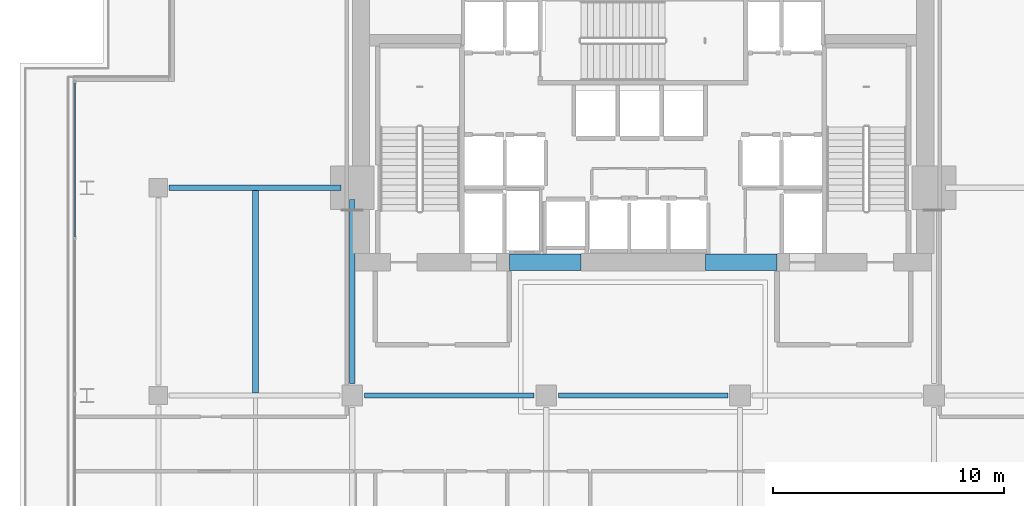
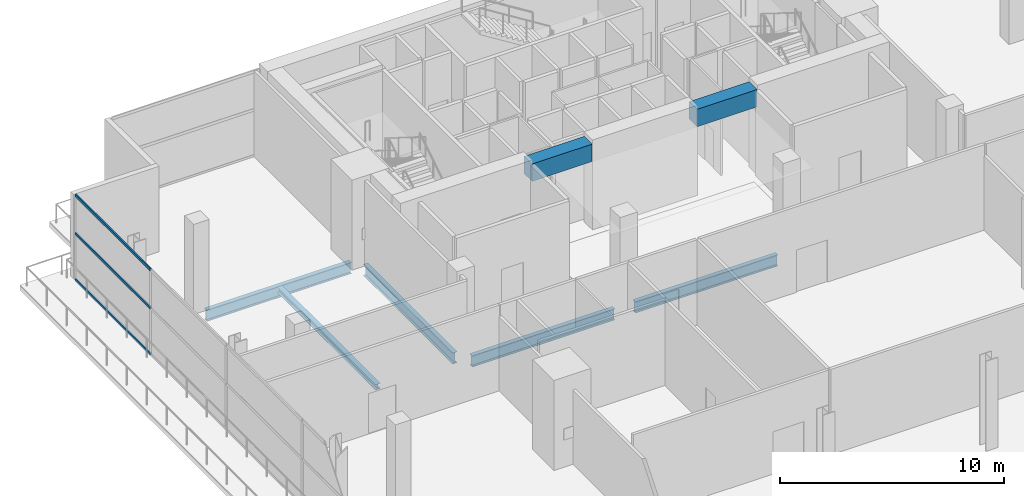
# One storey, part 18 of 31: 7 beams, 3 members, 1 element without a shape of its own.
"""IFC4 building model written with IfcOpenShell, lengths in metres."""

from ifc_helpers import new_model, si_unit, direction, frame, origin, origin_2d, place, context, subcontext, project, spatial, rectangle, hollow_rectangle, i_section, extrude, material, layer, layer_set, material_profile, profile_set, type_object, element, aggregate, save


model = new_model("IFC4")

# Units and contexts
model_context = context("Model", 3, precision=1e-05, world=origin(), true_north=direction((0.0, 1.0)))
body_context = subcontext(model_context, "Body", "Model", "MODEL_VIEW")
ifc_project = project(units=[si_unit("LENGTHUNIT", "METRE"), si_unit("AREAUNIT", "SQUARE_METRE"), si_unit("VOLUMEUNIT", "CUBIC_METRE"), si_unit("PLANEANGLEUNIT", "RADIAN"), si_unit("MASSUNIT", "GRAM", prefix="KILO")], contexts=[model_context])

# Site, building, storey
site_placement = place(None, origin())
site = spatial("IfcSite", under=ifc_project, at=site_placement, CompositionType="ELEMENT")
building_placement = place(site_placement, origin())
building = spatial("IfcBuilding", under=site, at=building_placement, Name="Maruvema Waterfront Hotel and Observation Tower", CompositionType="ELEMENT")
storey_placement = place(building_placement, frame((0.0, 0.0, 122.5)))
storey = spatial("IfcBuildingStorey", under=building, at=storey_placement, Name="L29", CompositionType="ELEMENT", Elevation=122.5)

# Beams
ifc_material_1 = material(Name="Concrete C60/75", Category="concrete")
ifc_material_profile_1 = material_profile(ifc_material_1, rectangle(XDim=0.699951171875, YDim=0.949951171875, at=origin_2d()), Name="CB700x950")
ifc_profile_set_1 = profile_set([ifc_material_profile_1], Name="Concrete C60/75")
beam_type_1 = type_object("IfcBeamType", Name="Core Coupling Lintel Beam CB700x950", PredefinedType="LINTEL", material=ifc_profile_set_1)
for number, where, z_axis, x_axis, name in (
    (1, (32.0, 41.77490234375, 4.18505859375), (1.0, 0.0, 0.0), (0.0, 1.0, 0.0), "L29 Core Coupling Lintel Beam West"),
    (2, (40.5, 41.77490234375, 4.18505859375), (1.0, 0.0, 0.0), (0.0, 1.0, 0.0), "L29 Core Coupling Lintel Beam East"),
):
    element("IfcBeam", number, at=place(storey_placement, frame(where, z_axis=z_axis, x_axis=x_axis)), inside=storey, type_object=beam_type_1, Name=name, PredefinedType="LINTEL", context=body_context, shape_type="SweptSolid", body=[
        extrude(rectangle(XDim=0.699951171875, YDim=0.949951171875, at=origin_2d()), origin(), (0.0, 0.0, 1.0), 3.10009765625),
    ])

# Curtain wall, members
ifc_material_2 = material(Name="Anodised bronze aluminium and solar-control low-E IGU", Category="aluminium")
ifc_layer = layer(ifc_material_2, 0.159912109375, Name="Zone 2 Amber Inner Thermal Curtain Wall System CW-03")
ifc_layer_set = layer_set([ifc_layer], Name="Anodised bronze aluminium and solar-control low-E IGU")
curtain_wall_type = type_object("IfcCurtainWallType", Name="Zone 2 Amber Inner Thermal Curtain Wall System CW-03", PredefinedType="USERDEFINED", material=ifc_layer_set)
curtain_wall_placement = place(storey_placement, origin())
curtain_wall = element("IfcCurtainWall", 3, at=curtain_wall_placement, inside=storey, type_object=curtain_wall_type, Name="L29 Curtain Wall CW-L29-W", ObjectType="UNITISED CURTAIN WALL", PredefinedType="USERDEFINED")
ifc_material_3 = material(Name="Anodised architectural bronze aluminium", Category="aluminium")
ifc_material_profile_2 = material_profile(ifc_material_3, hollow_rectangle(XDim=0.070068359375, YDim=0.14990234375, WallThickness=0.00390625, at=origin_2d()), Name="ALU-T70x150")
ifc_profile_set_2 = profile_set([ifc_material_profile_2], Name="Anodised architectural bronze aluminium")
member_type = type_object("IfcMemberType", Name="Curtain Wall Horizontal Transom ALU-T70x150", PredefinedType="USERDEFINED", material=ifc_profile_set_2)
member_1_placement = place(storey_placement, frame((13.179931640625, 49.5400390625, 0.030029296875), z_axis=(0.0, -1.0, 0.0), x_axis=(1.0, 0.0, 0.0)))
member_1 = element("IfcMember", 4, at=member_1_placement, type_object=member_type, Name="CW-03 transom 1.1", ObjectType="TRANSOM", PredefinedType="USERDEFINED", context=body_context, shape_type="SweptSolid", body=[
    extrude(hollow_rectangle(XDim=0.070068359375, YDim=0.14990234375, WallThickness=0.00390625, at=origin_2d()), origin(), (0.0, 0.0, 1.0), 6.6767578125),
])
member_2_placement = place(storey_placement, frame((13.179931640625, 49.5400390625, 2.550048828125), z_axis=(0.0, -1.0, 0.0), x_axis=(1.0, 0.0, 0.0)))
member_2 = element("IfcMember", 5, at=member_2_placement, type_object=member_type, Name="CW-03 transom 1.2", ObjectType="TRANSOM", PredefinedType="USERDEFINED", context=body_context, shape_type="SweptSolid", body=[
    extrude(hollow_rectangle(XDim=0.070068359375, YDim=0.14990234375, WallThickness=0.00390625, at=origin_2d()), origin(), (0.0, 0.0, 1.0), 6.6767578125),
])
member_3_placement = place(storey_placement, frame((13.179931640625, 49.5400390625, 4.6298828125), z_axis=(0.0, -1.0, 0.0), x_axis=(1.0, 0.0, 0.0)))
member_3 = element("IfcMember", 6, at=member_3_placement, type_object=member_type, Name="CW-03 transom 1.3", ObjectType="TRANSOM", PredefinedType="USERDEFINED", context=body_context, shape_type="SweptSolid", body=[
    extrude(hollow_rectangle(XDim=0.070068359375, YDim=0.14990234375, WallThickness=0.00390625, at=origin_2d()), origin(), (0.0, 0.0, 1.0), 6.6767578125),
])
aggregate(curtain_wall, [member_1, member_2, member_3])

# Beams
ifc_material_4 = material(Name="Steel ASTM A572 Grade 50", Category="steel")
ifc_material_profile_3 = material_profile(ifc_material_4, i_section(OverallWidth=0.22900390625, OverallDepth=0.612060546875, WebThickness=0.011962890625, FlangeThickness=0.01953125, FilletRadius=0.01806640625, at=origin_2d()), Name="W610x125.0")
ifc_profile_set_3 = profile_set([ifc_material_profile_3], Name="Steel ASTM A572 Grade 50")
beam_type_2 = type_object("IfcBeamType", Name="Primary Floor Girder W610x125.0", PredefinedType="BEAM", material=ifc_profile_set_3)
beam_1_placement = place(storey_placement, frame((25.72509765625, 36.0, -0.5458984375), z_axis=(1.0, 0.0, 0.0), x_axis=(0.0, 1.0, 0.0)))
element("IfcBeam", 7, at=beam_1_placement, inside=storey, type_object=beam_type_2, Name="L29 Floor Girder EW-15", PredefinedType="BEAM", context=body_context, shape_type="SweptSolid", body=[
    extrude(i_section(OverallWidth=0.22900390625, OverallDepth=0.612060546875, WebThickness=0.011962890625, FlangeThickness=0.01953125, FilletRadius=0.01806640625, at=origin_2d()), origin(), (0.0, 0.0, 1.0), 7.349853515625),
])
beam_2_placement = place(storey_placement, frame((34.125, 36.0, -0.5458984375), z_axis=(1.0, 0.0, 0.0), x_axis=(0.0, 1.0, 0.0)))
element("IfcBeam", 8, at=beam_2_placement, inside=storey, type_object=beam_type_2, Name="L29 Floor Girder EW-16", PredefinedType="BEAM", context=body_context, shape_type="SweptSolid", body=[
    extrude(i_section(OverallWidth=0.22900390625, OverallDepth=0.612060546875, WebThickness=0.011962890625, FlangeThickness=0.01953125, FilletRadius=0.01806640625, at=origin_2d()), origin(), (0.0, 0.0, 1.0), 7.35009765625),
])
beam_3_placement = place(storey_placement, frame((17.25, 45.0, -0.5458984375), z_axis=(1.0, 0.0, 0.0), x_axis=(0.0, 1.0, 0.0)))
element("IfcBeam", 9, at=beam_3_placement, inside=storey, type_object=beam_type_2, Name="L29 Floor Girder EW-19", PredefinedType="BEAM", context=body_context, shape_type="SweptSolid", body=[
    extrude(i_section(OverallWidth=0.22900390625, OverallDepth=0.612060546875, WebThickness=0.011962890625, FlangeThickness=0.01953125, FilletRadius=0.01806640625, at=origin_2d()), origin(), (0.0, 0.0, 1.0), 7.449951171875),
])
beam_4_placement = place(storey_placement, frame((25.199951171875, 36.52490234375, -0.5458984375), z_axis=(0.0, 1.0, 0.0), x_axis=(-1.0, 0.0, 0.0)))
element("IfcBeam", 10, at=beam_4_placement, inside=storey, type_object=beam_type_2, Name="L29 Floor Girder NS-08", PredefinedType="BEAM", context=body_context, shape_type="SweptSolid", body=[
    extrude(i_section(OverallWidth=0.22900390625, OverallDepth=0.612060546875, WebThickness=0.011962890625, FlangeThickness=0.01953125, FilletRadius=0.01806640625, at=origin_2d()), origin(), (0.0, 0.0, 1.0), 7.97509765625),
])
ifc_material_5 = material(Name="Steel ASTM A572 Grade 50", Category="steel")
ifc_material_profile_4 = material_profile(ifc_material_5, i_section(OverallWidth=0.25390625, OverallDepth=0.305908203125, WebThickness=0.0087890625, FlangeThickness=0.0146484375, FilletRadius=0.014892578125, at=origin_2d()), Name="W310x79.0")
ifc_profile_set_4 = profile_set([ifc_material_profile_4], Name="Steel ASTM A572 Grade 50")
beam_type_3 = type_object("IfcBeamType", Name="Secondary Floor Joist W310x79.0", PredefinedType="JOIST", material=ifc_profile_set_4)
beam_5_placement = place(storey_placement, frame((21.0, 36.114501953125, -0.39306640625), z_axis=(0.0, 1.0, 0.0), x_axis=(-1.0, 0.0, 0.0)))
element("IfcBeam", 11, at=beam_5_placement, inside=storey, type_object=beam_type_3, Name="L29 Secondary Floor Joist JS-04", PredefinedType="JOIST", context=body_context, shape_type="SweptSolid", body=[
    extrude(i_section(OverallWidth=0.25390625, OverallDepth=0.305908203125, WebThickness=0.0087890625, FlangeThickness=0.0146484375, FilletRadius=0.014892578125, at=origin_2d()), origin(), (0.0, 0.0, 1.0), 8.77099609375),
])

save(model, "model.ifc")
